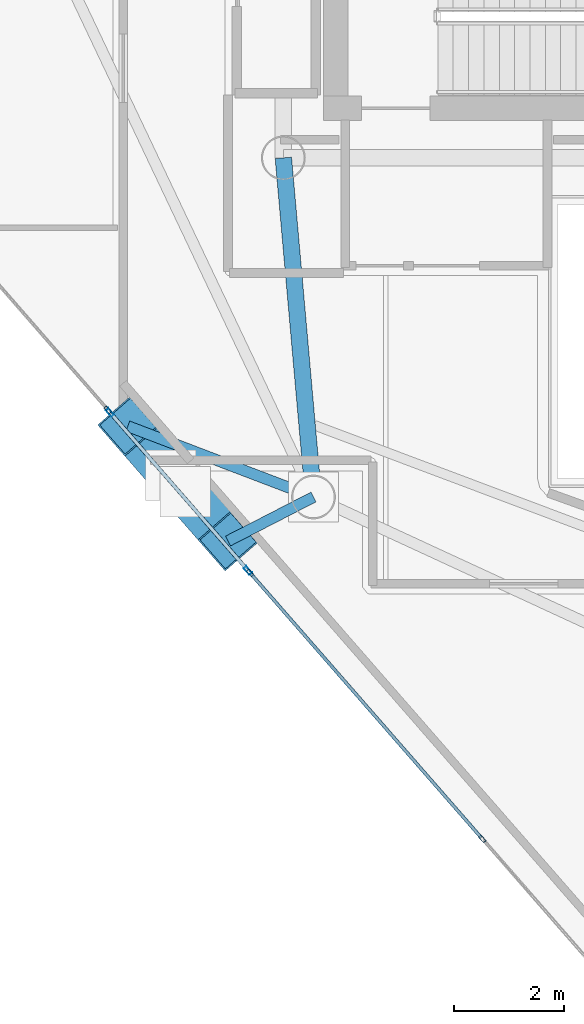
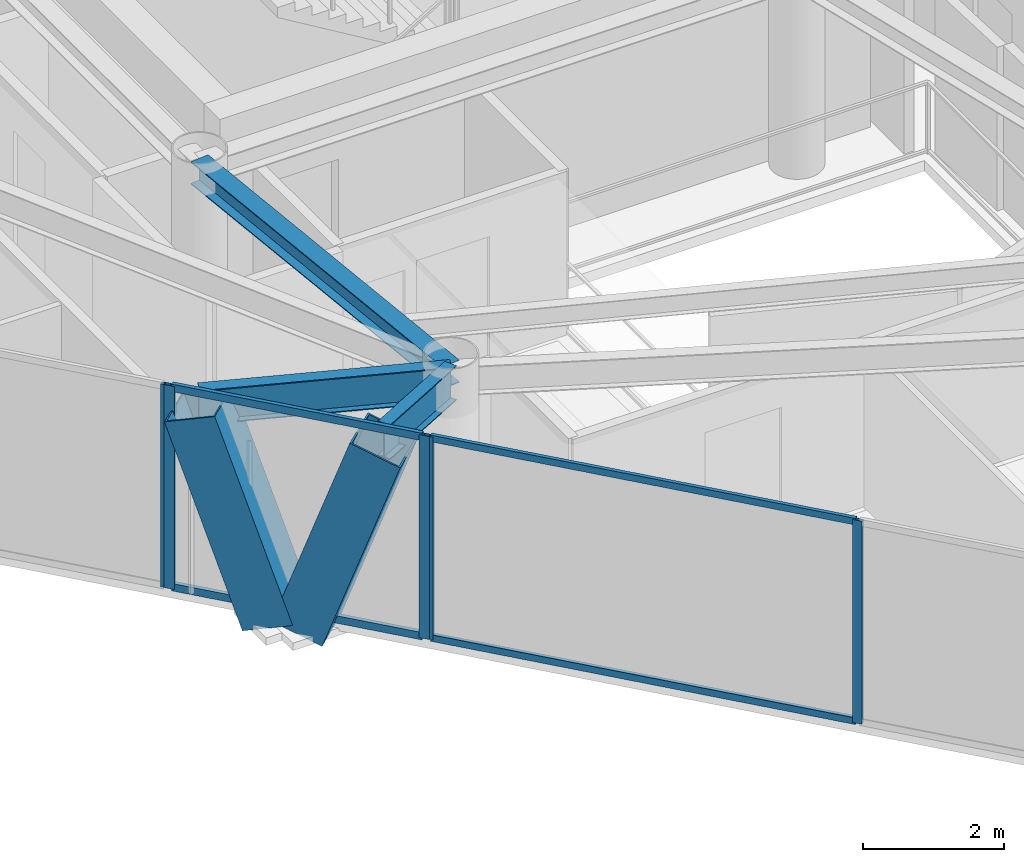
# One storey, part 2 of 19: 11 members, 3 beams, 3 elements without a shape of their own.
"""IFC4 building model written with IfcOpenShell, lengths in metres."""

from ifc_helpers import new_model, si_unit, direction, frame, origin, origin_2d, place, context, subcontext, project, spatial, hollow_rectangle, i_section, extrude, material, layer, layer_set, material_profile, profile_set, type_object, element, aggregate, save


model = new_model("IFC4")

# Units and contexts
model_context = context("Model", 3, precision=1e-05, world=origin(), true_north=direction((0.0, 1.0)))
body_context = subcontext(model_context, "Body", "Model", "MODEL_VIEW")
ifc_project = project(units=[si_unit("LENGTHUNIT", "METRE"), si_unit("AREAUNIT", "SQUARE_METRE"), si_unit("VOLUMEUNIT", "CUBIC_METRE"), si_unit("PLANEANGLEUNIT", "RADIAN"), si_unit("MASSUNIT", "GRAM", prefix="KILO")], contexts=[model_context])

# Site, building, storey
site_placement = place(None, origin())
site = spatial("IfcSite", under=ifc_project, at=site_placement, CompositionType="ELEMENT")
building_placement = place(site_placement, origin())
building = spatial("IfcBuilding", under=site, at=building_placement, Name="Qianvela Tower", CompositionType="ELEMENT")
storey_placement = place(building_placement, frame((0.0, 0.0, 325.89990234375)))
storey = spatial("IfcBuildingStorey", under=building, at=storey_placement, Name="L84", CompositionType="ELEMENT", Elevation=325.89990234375)

# Beams
ifc_material_1 = material(Name="Steel Q355B", Category="steel")
ifc_material_profile_1 = material_profile(ifc_material_1, i_section(OverallWidth=0.300048828125, OverallDepth=0.389892578125, WebThickness=0.010009765625, FlangeThickness=0.01611328125, at=origin_2d()), Name="HM390x300x10x16")
ifc_profile_set_1 = profile_set([ifc_material_profile_1], Name="Steel Q355B")
beam_type_1 = type_object("IfcBeamType", Name="BM-HM390-COLL", PredefinedType="BEAM", material=ifc_profile_set_1)
beam_1_placement = place(storey_placement, frame((28.60009765625, 23.85009765625, 3.322998046875), z_axis=(0.088501665624, -0.996076028816, 0.0), x_axis=(0.996076028816, 0.088501665624, 0.0)))
element("IfcBeam", 1, at=beam_1_placement, inside=storey, type_object=beam_type_1, Name="L84 Radial Primary Floor Girder 4", PredefinedType="BEAM", context=body_context, shape_type="SweptSolid", body=[
    extrude(i_section(OverallWidth=0.300048828125, OverallDepth=0.389892578125, WebThickness=0.010009765625, FlangeThickness=0.01611328125, at=origin_2d()), origin(), (0.0, 0.0, 1.0), 6.21240234375),
])
ifc_material_2 = material(Name="Steel Q355B", Category="steel")
ifc_material_profile_2 = material_profile(ifc_material_2, i_section(OverallWidth=0.199951171875, OverallDepth=0.60009765625, WebThickness=0.010986328125, FlangeThickness=0.01708984375, at=origin_2d()), Name="HN600x200x11x17")
ifc_profile_set_2 = profile_set([ifc_material_profile_2], Name="Steel Q355B")
beam_type_2 = type_object("IfcBeamType", Name="BM-HN600-GIRD", PredefinedType="BEAM", material=ifc_profile_set_2)
beam_2_placement = place(storey_placement, frame((29.14990234375, 17.662109375, 3.218017578125), z_axis=(-0.934319108716, 0.356437656665, 0.0), x_axis=(-0.356437656665, -0.934319108716, 0.0)))
element("IfcBeam", 2, at=beam_2_placement, inside=storey, type_object=beam_type_2, Name="L84 Mega-Brace Column Tie Bracket F2-1", PredefinedType="BEAM", context=body_context, shape_type="SweptSolid", body=[
    extrude(i_section(OverallWidth=0.199951171875, OverallDepth=0.60009765625, WebThickness=0.010986328125, FlangeThickness=0.01708984375, at=origin_2d()), origin(), (0.0, 0.0, 1.0), 3.626220703125),
])
beam_3_placement = place(storey_placement, frame((29.14990234375, 17.662109375, 3.218017578125), z_axis=(-0.888929882222, -0.458043299801, 0.0), x_axis=(0.458043299801, -0.888929882222, 0.0)))
element("IfcBeam", 3, at=beam_3_placement, inside=storey, type_object=beam_type_2, Name="L84 Mega-Brace Column Tie Bracket F2-2", PredefinedType="BEAM", context=body_context, shape_type="SweptSolid", body=[
    extrude(i_section(OverallWidth=0.199951171875, OverallDepth=0.60009765625, WebThickness=0.010986328125, FlangeThickness=0.01708984375, at=origin_2d()), origin(), (0.0, 0.0, 1.0), 1.753173828125),
])

# Curtain wall, members
ifc_material_3 = material(Name="Anodised Architectural Aluminium and Insulated Spandrel Panel", Category="aluminium")
ifc_layer_1 = layer(ifc_material_3, 0.179931640625)
ifc_layer_set_1 = layer_set([ifc_layer_1], Name="Anodised Architectural Aluminium and Insulated Spandrel Panel")
curtain_wall_type_1 = type_object("IfcCurtainWallType", Name="CW-BRACEBAY", PredefinedType="USERDEFINED", material=ifc_layer_set_1)
curtain_wall_1_placement = place(storey_placement, origin())
curtain_wall_1 = element("IfcCurtainWall", 4, at=curtain_wall_1_placement, inside=storey, type_object=curtain_wall_type_1, Name="L84 CW-BRACEBAY Curtain Wall 04B", ObjectType="CURTAIN_WALL_SYSTEM", PredefinedType="USERDEFINED")
ifc_material_4 = material(Name="Anodised Architectural Aluminium 6063-T6", Category="aluminium")
ifc_material_profile_3 = material_profile(ifc_material_4, hollow_rectangle(XDim=0.06494140625, YDim=0.159912109375, WallThickness=0.0048828125, at=origin_2d()), Name="ALU-MULL-65x160")
ifc_profile_set_3 = profile_set([ifc_material_profile_3], Name="Anodised Architectural Aluminium 6063-T6")
member_type_1 = type_object("IfcMemberType", Name="CW-BRACEBAY-MULL", PredefinedType="MULLION", material=ifc_profile_set_3)
member_1_placement = place(storey_placement, frame((25.437255859375, 19.205322265625, 0.0), z_axis=(0.0, 0.0, 1.0), x_axis=(0.753338977746, 0.657632408423, 0.0)))
member_1 = element("IfcMember", 5, at=member_1_placement, type_object=member_type_1, Name="CW-9 mullion 1", PredefinedType="MULLION", context=body_context, shape_type="SweptSolid", body=[
    extrude(hollow_rectangle(XDim=0.06494140625, YDim=0.159912109375, WallThickness=0.0048828125, at=origin_2d()), origin(), (0.0, 0.0, 1.0), 3.52001953125),
])
member_2_placement = place(storey_placement, frame((27.95263671875, 16.32373046875, 0.0), z_axis=(0.0, 0.0, 1.0), x_axis=(0.753338977746, 0.657632408423, 0.0)))
member_2 = element("IfcMember", 6, at=member_2_placement, type_object=member_type_1, Name="CW-9 mullion 2", PredefinedType="MULLION", context=body_context, shape_type="SweptSolid", body=[
    extrude(hollow_rectangle(XDim=0.06494140625, YDim=0.159912109375, WallThickness=0.0048828125, at=origin_2d()), origin(), (0.0, 0.0, 1.0), 3.52001953125),
])
ifc_material_5 = material(Name="Anodised Architectural Aluminium 6063-T6", Category="aluminium")
ifc_material_profile_4 = material_profile(ifc_material_5, hollow_rectangle(XDim=0.06494140625, YDim=0.1298828125, WallThickness=0.00439453125, at=origin_2d()), Name="ALU-TRAN-65x130")
ifc_profile_set_4 = profile_set([ifc_material_profile_4], Name="Anodised Architectural Aluminium 6063-T6")
member_type_2 = type_object("IfcMemberType", Name="CW-BRACEBAY-TRAN", PredefinedType="USERDEFINED", material=ifc_profile_set_4)
member_3_placement = place(storey_placement, frame((25.45849609375, 19.1806640625, 0.03271484375), z_axis=(0.657630743529, -0.753340431124, 0.0), x_axis=(0.753340431124, 0.657630743529, 0.0)))
member_3 = element("IfcMember", 7, at=member_3_placement, type_object=member_type_2, Name="CW-9 transom 1.1", ObjectType="TRANSOM", PredefinedType="USERDEFINED", context=body_context, shape_type="SweptSolid", body=[
    extrude(hollow_rectangle(XDim=0.06494140625, YDim=0.1298828125, WallThickness=0.00439453125, at=origin_2d()), origin(), (0.0, 0.0, 1.0), 3.760009765625),
])
member_4_placement = place(storey_placement, frame((25.45849609375, 19.1806640625, 3.487548828125), z_axis=(0.657630743529, -0.753340431124, 0.0), x_axis=(0.753340431124, 0.657630743529, 0.0)))
member_4 = element("IfcMember", 8, at=member_4_placement, type_object=member_type_2, Name="CW-9 transom 1.2", ObjectType="TRANSOM", PredefinedType="USERDEFINED", context=body_context, shape_type="SweptSolid", body=[
    extrude(hollow_rectangle(XDim=0.06494140625, YDim=0.1298828125, WallThickness=0.00439453125, at=origin_2d()), origin(), (0.0, 0.0, 1.0), 3.760009765625),
])
aggregate(curtain_wall_1, [member_1, member_2, member_3, member_4])

# Curtain wall, member
ifc_material_6 = material(Name="Anodised Architectural Aluminium and Low-E Glass", Category="aluminium")
ifc_layer_2 = layer(ifc_material_6, 0.14990234375)
ifc_layer_set_2 = layer_set([ifc_layer_2], Name="Anodised Architectural Aluminium and Low-E Glass")
curtain_wall_type_2 = type_object("IfcCurtainWallType", Name="CW-COLIV-Z78", PredefinedType="USERDEFINED", material=ifc_layer_set_2)
curtain_wall_2_placement = place(storey_placement, origin())
curtain_wall_2 = element("IfcCurtainWall", 9, at=curtain_wall_2_placement, inside=storey, type_object=curtain_wall_type_2, Name="L84 CW-COLIV-Z78 Curtain Wall 04A", ObjectType="CURTAIN_WALL_SYSTEM", PredefinedType="USERDEFINED")
ifc_material_7 = material(Name="Anodised Architectural Aluminium 6063-T6", Category="aluminium")
ifc_material_profile_5 = material_profile(ifc_material_7, hollow_rectangle(XDim=0.06005859375, YDim=0.139892578125, WallThickness=0.00439453125, at=origin_2d()), Name="ALU-MULL-60x140")
ifc_profile_set_5 = profile_set([ifc_material_profile_5], Name="Anodised Architectural Aluminium 6063-T6")
member_type_3 = type_object("IfcMemberType", Name="CW-COLIV-Z78-MULL", PredefinedType="MULLION", material=ifc_profile_set_5)
member_5_placement = place(storey_placement, frame((25.39599609375, 19.252197265625, 0.0), z_axis=(0.0, 0.0, 1.0), x_axis=(0.753331908425, 0.657640506468, 0.0)))
member_5 = element("IfcMember", 10, at=member_5_placement, type_object=member_type_3, Name="CW-6 mullion 2", PredefinedType="MULLION", context=body_context, shape_type="SweptSolid", body=[
    extrude(hollow_rectangle(XDim=0.06005859375, YDim=0.139892578125, WallThickness=0.00439453125, at=origin_2d()), origin(), (0.0, 0.0, 1.0), 3.52001953125),
])
aggregate(curtain_wall_2, [member_5])

# Curtain wall, members
curtain_wall_3_placement = place(storey_placement, origin())
curtain_wall_3 = element("IfcCurtainWall", 11, at=curtain_wall_3_placement, inside=storey, type_object=curtain_wall_type_2, Name="L84 CW-COLIV-Z78 Curtain Wall 04C", ObjectType="CURTAIN_WALL_SYSTEM", PredefinedType="USERDEFINED")
member_6_placement = place(storey_placement, frame((27.99365234375, 16.276611328125, 0.0), z_axis=(0.0, 0.0, 1.0), x_axis=(0.753332861029, 0.657639415253, 0.0)))
member_6 = element("IfcMember", 12, at=member_6_placement, type_object=member_type_3, Name="CW-6 mullion 1", PredefinedType="MULLION", context=body_context, shape_type="SweptSolid", body=[
    extrude(hollow_rectangle(XDim=0.06005859375, YDim=0.139892578125, WallThickness=0.00439453125, at=origin_2d()), origin(), (0.0, 0.0, 1.0), 3.52001953125),
])
member_7_placement = place(storey_placement, frame((32.22998046875, 11.423828125, 0.0), z_axis=(0.0, 0.0, 1.0), x_axis=(0.753332861029, 0.657639415253, 0.0)))
member_7 = element("IfcMember", 13, at=member_7_placement, type_object=member_type_3, Name="CW-6 mullion 2", PredefinedType="MULLION", context=body_context, shape_type="SweptSolid", body=[
    extrude(hollow_rectangle(XDim=0.06005859375, YDim=0.139892578125, WallThickness=0.00439453125, at=origin_2d()), origin(), (0.0, 0.0, 1.0), 3.52001953125),
])
ifc_material_8 = material(Name="Anodised Architectural Aluminium 6063-T6", Category="aluminium")
ifc_material_profile_6 = material_profile(ifc_material_8, hollow_rectangle(XDim=0.06005859375, YDim=0.114990234375, WallThickness=0.00390625, at=origin_2d()), Name="ALU-TRAN-60x115")
ifc_profile_set_6 = profile_set([ifc_material_profile_6], Name="Anodised Architectural Aluminium 6063-T6")
member_type_4 = type_object("IfcMemberType", Name="CW-COLIV-Z78-TRAN", PredefinedType="USERDEFINED", material=ifc_profile_set_6)
member_8_placement = place(storey_placement, frame((28.013427734375, 16.25390625, 0.030029296875), z_axis=(0.657645587315, -0.753327472939, 0.0), x_axis=(0.753327472939, 0.657645587315, 0.0)))
member_8 = element("IfcMember", 14, at=member_8_placement, type_object=member_type_4, Name="CW-6 transom 1.1", ObjectType="TRANSOM", PredefinedType="USERDEFINED", context=body_context, shape_type="SweptSolid", body=[
    extrude(hollow_rectangle(XDim=0.06005859375, YDim=0.114990234375, WallThickness=0.00390625, at=origin_2d()), origin(), (0.0, 0.0, 1.0), 6.381591796875),
])
member_9_placement = place(storey_placement, frame((28.013427734375, 16.25390625, 3.489990234375), z_axis=(0.657645587315, -0.753327472939, 0.0), x_axis=(0.753327472939, 0.657645587315, 0.0)))
member_9 = element("IfcMember", 15, at=member_9_placement, type_object=member_type_4, Name="CW-6 transom 1.2", ObjectType="TRANSOM", PredefinedType="USERDEFINED", context=body_context, shape_type="SweptSolid", body=[
    extrude(hollow_rectangle(XDim=0.06005859375, YDim=0.114990234375, WallThickness=0.00390625, at=origin_2d()), origin(), (0.0, 0.0, 1.0), 6.381591796875),
])
aggregate(curtain_wall_3, [member_6, member_7, member_8, member_9])

# Members
ifc_material_9 = material(Name="Steel Q420GJC", Category="steel")
ifc_material_profile_7 = material_profile(ifc_material_9, hollow_rectangle(XDim=0.800048828125, YDim=0.800048828125, WallThickness=0.028076171875, at=origin_2d()), Name="MBOX-800x800x28")
ifc_profile_set_7 = profile_set([ifc_material_profile_7], Name="Steel Q420GJC")
member_type_5 = type_object("IfcMemberType", Name="MBR-MBRACE-800", PredefinedType="BRACE", material=ifc_profile_set_7)
for number, where, z_axis, x_axis, name in (
    (16, (26.531982421875, 18.072509765625, -0.139892578125), (-0.216528768558, 0.24804008903, 0.944241180325), (-0.753338258657, -0.657633232162, 0.0), "L84 Tier 14 Exterior Mega-Brace F2A"),
    (17, (26.8212890625, 17.7412109375, -0.139892578125), (0.216594200479, -0.248036401372, 0.944227142119), (0.753234964596, 0.657751539801, 0.0), "L84 Tier 14 Exterior Mega-Brace F2B"),
):
    element("IfcMember", number, at=place(storey_placement, frame(where, z_axis=z_axis, x_axis=x_axis)), inside=storey, type_object=member_type_5, Name=name, PredefinedType="BRACE", context=body_context, shape_type="SweptSolid", body=[
        extrude(hollow_rectangle(XDim=0.800048828125, YDim=0.800048828125, WallThickness=0.028076171875, at=origin_2d()), origin(), (0.0, 0.0, 1.0), 3.55615234375),
    ])

save(model, "model.ifc")
